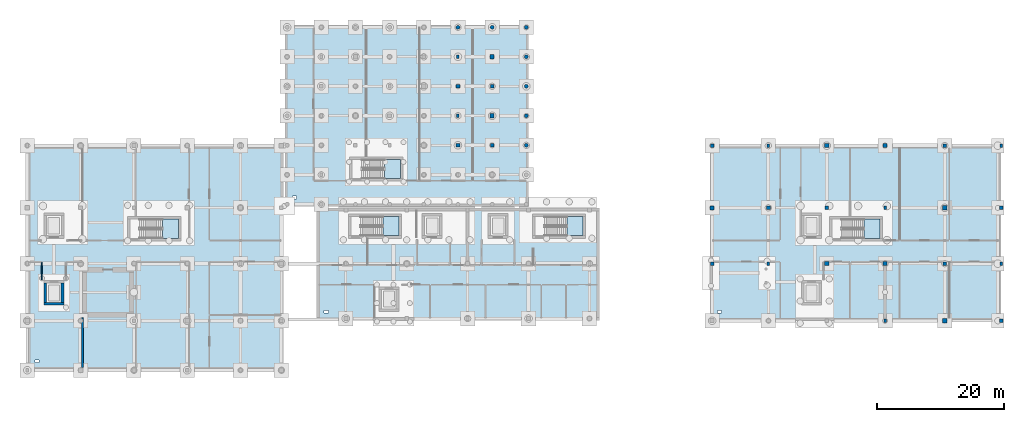
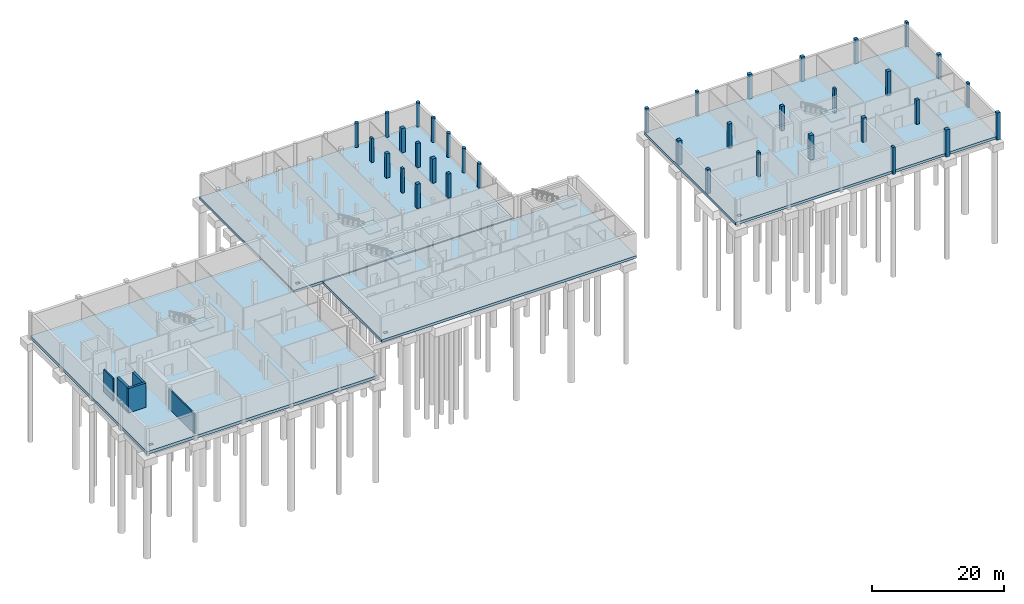
# One storey, part 5 of 14: 36 columns, 9 slabs, 5 walls, 5 elements without a shape of their own.
"""IFC4 building model written with IfcOpenShell, lengths in metres."""

from ifc_helpers import new_model, si_unit, direction, frame, frame_2d, origin, origin_2d, place, context, subcontext, project, spatial, polyline, rectangle, circle, outline, extrude, material, layer, layer_set, material_profile, profile_set, type_object, element, aggregate, save


model = new_model("IFC4")

# Units and contexts
model_context = context("Model", 3, precision=1e-05, world=origin(), true_north=direction((0.0, 1.0)))
body_context = subcontext(model_context, "Body", "Model", "MODEL_VIEW")
ifc_project = project(units=[si_unit("LENGTHUNIT", "METRE"), si_unit("AREAUNIT", "SQUARE_METRE"), si_unit("VOLUMEUNIT", "CUBIC_METRE"), si_unit("PLANEANGLEUNIT", "RADIAN"), si_unit("MASSUNIT", "GRAM", prefix="KILO")], contexts=[model_context])

# Site, building, storey
site_placement = place(None, origin())
site = spatial("IfcSite", under=ifc_project, at=site_placement, CompositionType="ELEMENT")
building_placement = place(site_placement, origin())
building = spatial("IfcBuilding", under=site, at=building_placement, Name="Birchvale Park Specialist Clinic", CompositionType="ELEMENT")
storey_placement = place(building_placement, frame((0.0, 0.0, -4.5)))
storey = spatial("IfcBuildingStorey", under=building, at=storey_placement, Name="B1", CompositionType="ELEMENT", Elevation=-4.5)

# Columns
ifc_material_1 = material(Name="Concrete C40/50", Category="concrete")
ifc_material_profile_1 = material_profile(ifc_material_1, rectangle(XDim=0.6298828125, YDim=0.6298828125, at=origin_2d()), Name="RC-630x630")
ifc_profile_set_1 = profile_set([ifc_material_profile_1], Name="Concrete C40/50")
column_type_1 = type_object("IfcColumnType", Name="COL-EXT-C02", PredefinedType="COLUMN", material=ifc_profile_set_1)
column_placement = place(storey_placement, frame((119.14990234375, 34.60009765625, -0.550048828125), z_axis=(0.0, 0.0, 1.0), x_axis=(1.0, 0.0, 0.0)))
element("IfcColumn", 1, at=column_placement, inside=storey, type_object=column_type_1, Name="V5 B1 column 3", PredefinedType="COLUMN", context=body_context, shape_type="SweptSolid", body=[
    extrude(rectangle(XDim=0.6298828125, YDim=0.6298828125, at=origin_2d()), origin(), (0.0, 0.0, 1.0), 5.050048828125),
])
ifc_material_profile_2 = material_profile(ifc_material_1, rectangle(XDim=0.530029296875, YDim=0.530029296875, at=origin_2d()), Name="RC-530x530")
ifc_profile_set_2 = profile_set([ifc_material_profile_2], Name="Concrete C40/50")
column_type_2 = type_object("IfcColumnType", Name="COL-EXT-C04", PredefinedType="COLUMN", material=ifc_profile_set_2)
for number, where, z_axis, x_axis, name in (
    (2, (119.14990234375, 25.800048828125, -0.550048828125), (0.0, 0.0, 1.0), (1.0, 0.0, 0.0), "V5 B1 column 2"),
    (3, (119.14990234375, 44.39990234375, -0.550048828125), (0.0, 0.0, 1.0), (1.0, 0.0, 0.0), "V5 B1 column 4"),
):
    element("IfcColumn", number, at=place(storey_placement, frame(where, z_axis=z_axis, x_axis=x_axis)), inside=storey, type_object=column_type_2, Name=name, PredefinedType="COLUMN", context=body_context, shape_type="SweptSolid", body=[
        extrude(rectangle(XDim=0.530029296875, YDim=0.530029296875, at=origin_2d()), origin(), (0.0, 0.0, 1.0), 5.050048828125),
    ])
ifc_material_profile_3 = material_profile(ifc_material_1, circle(Radius=0.31005859375, at=origin_2d()), Name="RCC-620")
ifc_profile_set_3 = profile_set([ifc_material_profile_3], Name="Concrete C40/50")
column_type_3 = type_object("IfcColumnType", Name="COL-EXT-CC1", PredefinedType="COLUMN", material=ifc_profile_set_3)
for number, where, z_axis, x_axis, name in (
    (4, (79.07861328125, 63.050048828125, -0.550048828125), (0.0, 0.0, 1.0), (1.0, 0.0, 0.0), "V1 B1 column 40"),
    (5, (84.46435546875, 63.050048828125, -0.550048828125), (0.0, 0.0, 1.0), (1.0, 0.0, 0.0), "V1 B1 column 47"),
    (6, (89.85009765625, 44.449951171875, -0.550048828125), (0.0, 0.0, 1.0), (1.0, 0.0, 0.0), "V1 B1 column 50"),
    (7, (89.85009765625, 49.10009765625, -0.550048828125), (0.0, 0.0, 1.0), (1.0, 0.0, 0.0), "V1 B1 column 51"),
    (8, (89.85009765625, 53.75, -0.550048828125), (0.0, 0.0, 1.0), (1.0, 0.0, 0.0), "V1 B1 column 52"),
    (9, (89.85009765625, 58.39990234375, -0.550048828125), (0.0, 0.0, 1.0), (1.0, 0.0, 0.0), "V1 B1 column 53"),
    (10, (89.85009765625, 63.050048828125, -0.550048828125), (0.0, 0.0, 1.0), (1.0, 0.0, 0.0), "V1 B1 column 54"),
):
    element("IfcColumn", number, at=place(storey_placement, frame(where, z_axis=z_axis, x_axis=x_axis)), inside=storey, type_object=column_type_3, Name=name, PredefinedType="COLUMN", context=body_context, shape_type="SweptSolid", body=[
        extrude(circle(Radius=0.31005859375, at=origin_2d()), origin(), (0.0, 0.0, 1.0), 5.050048828125),
    ])
ifc_material_profile_4 = material_profile(ifc_material_1, rectangle(XDim=0.64990234375, YDim=0.64990234375, at=origin_2d()), Name="RC-650x650")
ifc_profile_set_4 = profile_set([ifc_material_profile_4], Name="Concrete C40/50")
column_type_4 = type_object("IfcColumnType", Name="COL-INT-C02", PredefinedType="COLUMN", material=ifc_profile_set_4)
for number, where, z_axis, x_axis, name in (
    (11, (84.46435546875, 49.10009765625, -0.550048828125), (0.0, 0.0, 1.0), (1.0, 0.0, 0.0), "V1 B1 column 44"),
    (12, (84.46435546875, 58.39990234375, -0.550048828125), (0.0, 0.0, 1.0), (1.0, 0.0, 0.0), "V1 B1 column 46"),
    (13, (137.199951171875, 25.800048828125, -0.550048828125), (0.0, 0.0, 1.0), (1.0, 0.0, 0.0), "V5 B1 column 10"),
    (14, (137.199951171875, 44.39990234375, -0.550048828125), (0.0, 0.0, 1.0), (1.0, 0.0, 0.0), "V5 B1 column 12"),
    (15, (155.800048828125, 16.800048828125, -0.550048828125), (0.0, 0.0, 1.0), (1.0, 0.0, 0.0), "V5 B1 column 17"),
    (16, (155.800048828125, 34.60009765625, -0.550048828125), (0.0, 0.0, 1.0), (1.0, 0.0, 0.0), "V5 B1 column 19"),
):
    element("IfcColumn", number, at=place(storey_placement, frame(where, z_axis=z_axis, x_axis=x_axis)), inside=storey, type_object=column_type_4, Name=name, PredefinedType="COLUMN", context=body_context, shape_type="SweptSolid", body=[
        extrude(rectangle(XDim=0.64990234375, YDim=0.64990234375, at=origin_2d()), origin(), (0.0, 0.0, 1.0), 5.050048828125),
    ])
ifc_material_profile_5 = material_profile(ifc_material_1, rectangle(XDim=0.60009765625, YDim=0.60009765625, at=origin_2d()), Name="RC-600x600")
ifc_profile_set_5 = profile_set([ifc_material_profile_5], Name="Concrete C40/50")
column_type_5 = type_object("IfcColumnType", Name="COL-INT-C03", PredefinedType="COLUMN", material=ifc_profile_set_5)
for number, where, z_axis, x_axis, name in (
    (17, (79.07861328125, 44.449951171875, -0.550048828125), (0.0, 0.0, 1.0), (1.0, 0.0, 0.0), "V1 B1 column 36"),
    (18, (79.07861328125, 53.75, -0.550048828125), (0.0, 0.0, 1.0), (1.0, 0.0, 0.0), "V1 B1 column 38"),
    (19, (128.0, 34.60009765625, -0.550048828125), (0.0, 0.0, 1.0), (1.0, 0.0, 0.0), "V5 B1 column 7"),
    (20, (146.39990234375, 25.800048828125, -0.550048828125), (0.0, 0.0, 1.0), (1.0, 0.0, 0.0), "V5 B1 column 14"),
    (21, (146.39990234375, 44.39990234375, -0.550048828125), (0.0, 0.0, 1.0), (1.0, 0.0, 0.0), "V5 B1 column 16"),
    (22, (164.699951171875, 16.800048828125, -0.550048828125), (0.0, 0.0, 1.0), (1.0, 0.0, 0.0), "V5 B1 column 21"),
    (23, (164.699951171875, 34.60009765625, -0.550048828125), (0.0, 0.0, 1.0), (1.0, 0.0, 0.0), "V5 B1 column 23"),
):
    element("IfcColumn", number, at=place(storey_placement, frame(where, z_axis=z_axis, x_axis=x_axis)), inside=storey, type_object=column_type_5, Name=name, PredefinedType="COLUMN", context=body_context, shape_type="SweptSolid", body=[
        extrude(rectangle(XDim=0.60009765625, YDim=0.60009765625, at=origin_2d()), origin(), (0.0, 0.0, 1.0), 5.050048828125),
    ])
ifc_material_profile_6 = material_profile(ifc_material_1, rectangle(XDim=0.550048828125, YDim=0.550048828125, at=origin_2d()), Name="RC-550x550")
ifc_profile_set_6 = profile_set([ifc_material_profile_6], Name="Concrete C40/50")
column_type_6 = type_object("IfcColumnType", Name="COL-INT-C04", PredefinedType="COLUMN", material=ifc_profile_set_6)
for number, where, z_axis, x_axis, name in (
    (24, (84.46435546875, 44.449951171875, -0.550048828125), (0.0, 0.0, 1.0), (1.0, 0.0, 0.0), "V1 B1 column 43"),
    (25, (84.46435546875, 53.75, -0.550048828125), (0.0, 0.0, 1.0), (1.0, 0.0, 0.0), "V1 B1 column 45"),
    (26, (137.199951171875, 34.60009765625, -0.550048828125), (0.0, 0.0, 1.0), (1.0, 0.0, 0.0), "V5 B1 column 11"),
    (27, (155.800048828125, 25.800048828125, -0.550048828125), (0.0, 0.0, 1.0), (1.0, 0.0, 0.0), "V5 B1 column 18"),
    (28, (155.800048828125, 44.39990234375, -0.550048828125), (0.0, 0.0, 1.0), (1.0, 0.0, 0.0), "V5 B1 column 20"),
):
    element("IfcColumn", number, at=place(storey_placement, frame(where, z_axis=z_axis, x_axis=x_axis)), inside=storey, type_object=column_type_6, Name=name, PredefinedType="COLUMN", context=body_context, shape_type="SweptSolid", body=[
        extrude(rectangle(XDim=0.550048828125, YDim=0.550048828125, at=origin_2d()), origin(), (0.0, 0.0, 1.0), 5.050048828125),
    ])
ifc_material_profile_7 = material_profile(ifc_material_1, rectangle(XDim=0.39990234375, YDim=0.550048828125, at=origin_2d()), Name="RC-400x550")
ifc_profile_set_7 = profile_set([ifc_material_profile_7], Name="Concrete C40/50")
column_type_7 = type_object("IfcColumnType", Name="COL-INT-C10", PredefinedType="COLUMN", material=ifc_profile_set_7)
for number, where, z_axis, x_axis, name in (
    (29, (79.07861328125, 49.10009765625, -0.550048828125), (0.0, 0.0, 1.0), (1.0, 0.0, 0.0), "V1 B1 column 37"),
    (30, (79.07861328125, 58.39990234375, -0.550048828125), (0.0, 0.0, 1.0), (1.0, 0.0, 0.0), "V1 B1 column 39"),
    (31, (128.0, 25.800048828125, -0.550048828125), (0.0, 0.0, 1.0), (1.0, 0.0, 0.0), "V5 B1 column 6"),
    (32, (128.0, 44.39990234375, -0.550048828125), (0.0, 0.0, 1.0), (1.0, 0.0, 0.0), "V5 B1 column 8"),
    (33, (146.39990234375, 16.800048828125, -0.550048828125), (0.0, 0.0, 1.0), (1.0, 0.0, 0.0), "V5 B1 column 13"),
    (34, (146.39990234375, 34.60009765625, -0.550048828125), (0.0, 0.0, 1.0), (1.0, 0.0, 0.0), "V5 B1 column 15"),
    (35, (164.699951171875, 25.800048828125, -0.550048828125), (0.0, 0.0, 1.0), (1.0, 0.0, 0.0), "V5 B1 column 22"),
    (36, (164.699951171875, 44.39990234375, -0.550048828125), (0.0, 0.0, 1.0), (1.0, 0.0, 0.0), "V5 B1 column 24"),
):
    element("IfcColumn", number, at=place(storey_placement, frame(where, z_axis=z_axis, x_axis=x_axis)), inside=storey, type_object=column_type_7, Name=name, PredefinedType="COLUMN", context=body_context, shape_type="SweptSolid", body=[
        extrude(rectangle(XDim=0.39990234375, YDim=0.550048828125, at=origin_2d()), origin(), (0.0, 0.0, 1.0), 5.050048828125),
    ])

# Slabs
ifc_material_2 = material(Name="Concrete C35/45", Category="concrete")
ifc_layer_1 = layer(ifc_material_2, 0.550048828125)
ifc_layer_set_1 = layer_set([ifc_layer_1], Name="Concrete C35/45")
slab_type_1 = type_object("IfcSlabType", Name="SLB-BS1", PredefinedType="BASESLAB", material=ifc_layer_set_1)
slab_1_placement = place(storey_placement, frame((0.0, 0.0, -0.550048828125)))
element("IfcSlab", 37, at=slab_1_placement, inside=storey, type_object=slab_type_1, Name="V2 B1 structural slab 1", PredefinedType="BASESLAB", context=body_context, shape_type="SweptSolid", body=[
    extrude(outline(polyline([(11.199951171875, 9.0), (51.60009765625, 9.0), (51.60009765625, 44.39990234375), (11.199951171875, 44.39990234375), (11.199951171875, 9.0)]), holes=[polyline([(12.39990234375, 10.199951171875), (13.050048828125, 10.199951171875), (13.050048828125, 10.64990234375), (12.39990234375, 10.64990234375), (12.39990234375, 10.199951171875)])]), origin(), (0.0, 0.0, 1.0), 0.550048828125),
])
ifc_layer_2 = layer(ifc_material_2, 0.47998046875)
ifc_layer_set_2 = layer_set([ifc_layer_2], Name="Concrete C35/45")
slab_type_2 = type_object("IfcSlabType", Name="SLB-BS2", PredefinedType="BASESLAB", material=ifc_layer_set_2)
slab_2_placement = place(storey_placement, frame((0.0, 0.0, -0.47998046875)))
element("IfcSlab", 38, at=slab_2_placement, inside=storey, type_object=slab_type_2, Name="V1 B1 structural slab 1", PredefinedType="BASESLAB", context=body_context, shape_type="SweptSolid", body=[
    extrude(outline(polyline([(51.800048828125, 34.800048828125), (90.199951171875, 34.800048828125), (90.199951171875, 63.39990234375), (51.800048828125, 63.39990234375), (51.800048828125, 34.800048828125)]), holes=[polyline([(53.0, 36.0), (53.64990234375, 36.0), (53.64990234375, 36.449951171875), (53.0, 36.449951171875), (53.0, 36.0)])]), origin(), (0.0, 0.0, 1.0), 0.47998046875),
])
slab_3_placement = place(storey_placement, frame((0.0, 0.0, -0.47998046875)))
element("IfcSlab", 39, at=slab_3_placement, inside=storey, type_object=slab_type_2, Name="V4 B1 structural slab 1", PredefinedType="BASESLAB", context=body_context, shape_type="SweptSolid", body=[
    extrude(outline(polyline([(56.800048828125, 16.800048828125), (101.39990234375, 16.800048828125), (101.39990234375, 34.60009765625), (56.800048828125, 34.60009765625), (56.800048828125, 16.800048828125)]), holes=[polyline([(58.0, 18.0), (58.64990234375, 18.0), (58.64990234375, 18.449951171875), (58.0, 18.449951171875), (58.0, 18.0)])]), origin(), (0.0, 0.0, 1.0), 0.47998046875),
])
slab_4_placement = place(storey_placement, frame((0.0, 0.0, -0.47998046875)))
element("IfcSlab", 40, at=slab_4_placement, inside=storey, type_object=slab_type_2, Name="V5 B1 structural slab 1", PredefinedType="BASESLAB", context=body_context, shape_type="SweptSolid", body=[
    extrude(outline(polyline([(118.800048828125, 16.800048828125), (164.699951171875, 16.800048828125), (164.699951171875, 44.39990234375), (118.800048828125, 44.39990234375), (118.800048828125, 16.800048828125)]), holes=[polyline([(120.0, 18.0), (120.64990234375, 18.0), (120.64990234375, 18.449951171875), (120.0, 18.449951171875), (120.0, 18.0)])]), origin(), (0.0, 0.0, 1.0), 0.47998046875),
])

# Stair, slab
stair_type = type_object("IfcStairType", Name="ST-H45", PredefinedType="HALF_TURN_STAIR", material=ifc_material_2)
stair_1_placement = place(storey_placement, origin())
stair_1 = element("IfcStair", 41, at=stair_1_placement, inside=storey, type_object=stair_type, Name="B1 Protected exit stair ST1", PredefinedType="HALF_TURN_STAIR")
ifc_layer_3 = layer(ifc_material_2, 0.199951171875)
ifc_layer_set_3 = layer_set([ifc_layer_3], Name="Concrete C35/45")
slab_type_3 = type_object("IfcSlabType", Name="SLB-LND1", PredefinedType="LANDING", material=ifc_layer_set_3)
slab_5_placement = place(storey_placement, frame((0.0, 0.0, 2.050048828125)))
slab_5 = element("IfcSlab", 42, at=slab_5_placement, type_object=slab_type_3, Name="ST1 landing 1", PredefinedType="LANDING", context=body_context, shape_type="SweptSolid", body=[
    extrude(outline(polyline([(67.5, 39.199951171875), (70.0, 39.199951171875), (70.0, 42.199951171875), (67.5, 42.199951171875), (67.5, 39.199951171875)])), origin(), (0.0, 0.0, 1.0), 0.199951171875),
])
aggregate(stair_1, [slab_5])

stair_2_placement = place(storey_placement, origin())
stair_2 = element("IfcStair", 43, at=stair_2_placement, inside=storey, type_object=stair_type, Name="B1 Protected exit stair ST2", PredefinedType="HALF_TURN_STAIR")
slab_6_placement = place(storey_placement, frame((0.0, 0.0, 2.050048828125)))
slab_6 = element("IfcSlab", 44, at=slab_6_placement, type_object=slab_type_3, Name="ST2 landing 1", PredefinedType="LANDING", context=body_context, shape_type="SweptSolid", body=[
    extrude(outline(polyline([(32.5, 29.800048828125), (35.0, 29.800048828125), (35.0, 32.800048828125), (32.5, 32.800048828125), (32.5, 29.800048828125)])), origin(), (0.0, 0.0, 1.0), 0.199951171875),
])
aggregate(stair_2, [slab_6])

stair_3_placement = place(storey_placement, origin())
stair_3 = element("IfcStair", 45, at=stair_3_placement, inside=storey, type_object=stair_type, Name="B1 Protected exit stair ST4", PredefinedType="HALF_TURN_STAIR")
slab_7_placement = place(storey_placement, frame((0.0, 0.0, 2.050048828125)))
slab_7 = element("IfcSlab", 46, at=slab_7_placement, type_object=slab_type_3, Name="ST4 landing 1", PredefinedType="LANDING", context=body_context, shape_type="SweptSolid", body=[
    extrude(outline(polyline([(67.300048828125, 30.199951171875), (69.800048828125, 30.199951171875), (69.800048828125, 33.199951171875), (67.300048828125, 33.199951171875), (67.300048828125, 30.199951171875)])), origin(), (0.0, 0.0, 1.0), 0.199951171875),
])
aggregate(stair_3, [slab_7])

stair_4_placement = place(storey_placement, origin())
stair_4 = element("IfcStair", 47, at=stair_4_placement, inside=storey, type_object=stair_type, Name="B1 Protected exit stair ST5", PredefinedType="HALF_TURN_STAIR")
slab_8_placement = place(storey_placement, frame((0.0, 0.0, 2.050048828125)))
slab_8 = element("IfcSlab", 48, at=slab_8_placement, type_object=slab_type_3, Name="ST5 landing 1", PredefinedType="LANDING", context=body_context, shape_type="SweptSolid", body=[
    extrude(outline(polyline([(96.300048828125, 30.199951171875), (98.800048828125, 30.199951171875), (98.800048828125, 33.199951171875), (96.300048828125, 33.199951171875), (96.300048828125, 30.199951171875)])), origin(), (0.0, 0.0, 1.0), 0.199951171875),
])
aggregate(stair_4, [slab_8])

stair_5_placement = place(storey_placement, origin())
stair_5 = element("IfcStair", 49, at=stair_5_placement, inside=storey, type_object=stair_type, Name="B1 Protected exit stair ST6", PredefinedType="HALF_TURN_STAIR")
slab_9_placement = place(storey_placement, frame((0.0, 0.0, 2.050048828125)))
slab_9 = element("IfcSlab", 50, at=slab_9_placement, type_object=slab_type_3, Name="ST6 landing 1", PredefinedType="LANDING", context=body_context, shape_type="SweptSolid", body=[
    extrude(outline(polyline([(143.10009765625, 29.800048828125), (145.60009765625, 29.800048828125), (145.60009765625, 32.800048828125), (143.10009765625, 32.800048828125), (143.10009765625, 29.800048828125)])), origin(), (0.0, 0.0, 1.0), 0.199951171875),
])
aggregate(stair_5, [slab_9])

# Walls
ifc_layer_4 = layer(ifc_material_1, 0.39990234375)
ifc_layer_set_4 = layer_set([ifc_layer_4], Name="Concrete C40/50")
wall_type_1 = type_object("IfcWallType", Name="WL-CW-120", PredefinedType="SHEAR", material=ifc_layer_set_4)
wall_1_placement = place(storey_placement, frame((13.85009765625, 19.449951171875, -0.550048828125), z_axis=(0.0, 0.0, 1.0), x_axis=(1.0, 0.0, 0.0)))
element("IfcWall", 51, at=wall_1_placement, inside=storey, type_object=wall_type_1, Name="B1 lift LP3 shaft wall (south)", PredefinedType="SHEAR", context=body_context, shape_type="SweptSolid", body=[
    extrude(rectangle(XDim=3.099853515625, YDim=0.39990234375, at=frame_2d((1.5498046875, 0.0))), origin(), (0.0, 0.0, 1.0), 5.050048828125),
])
for number, where, z_axis, x_axis, name in (
    (52, (14.050048828125, 19.64990234375, -0.550048828125), (0.0, 0.0, 1.0), (0.0, 1.0, 0.0), "B1 lift LP3 shaft wall (west)"),
    (53, (16.75, 22.75, -0.550048828125), (0.0, 0.0, 1.0), (0.0, -1.0, 0.0), "B1 lift LP3 shaft wall (east)"),
):
    element("IfcWall", number, at=place(storey_placement, frame(where, z_axis=z_axis, x_axis=x_axis)), inside=storey, type_object=wall_type_1, Name=name, PredefinedType="SHEAR", context=body_context, shape_type="SweptSolid", body=[
        extrude(rectangle(XDim=3.10009765625, YDim=0.39990234375, at=frame_2d((1.550048828125, 0.0))), origin(), (0.0, 0.0, 1.0), 5.050048828125),
    ])
ifc_material_3 = material(Name="Acoustic gypsum board on metal framing")
ifc_layer_5 = layer(ifc_material_3, 0.239990234375)
ifc_layer_set_5 = layer_set([ifc_layer_5], Name="Acoustic gypsum board on metal framing")
wall_type_2 = type_object("IfcWallType", Name="WL-IW-08", PredefinedType="PARTITIONING", material=ifc_layer_set_5)
wall_2_placement = place(storey_placement, frame((19.89990234375, 17.239990234375, 0.0), z_axis=(0.0, 0.0, 1.0), x_axis=(0.0, -1.0, 0.0)))
element("IfcWall", 54, at=wall_2_placement, inside=storey, type_object=wall_type_2, Name="V2 B1 clinical partition 11", PredefinedType="PARTITIONING", context=body_context, shape_type="SweptSolid", body=[
    extrude(rectangle(XDim=7.800048828125, YDim=0.239990234375, at=frame_2d((3.89990234375, 0.0))), origin(), (0.0, 0.0, 1.0), 3.635009765625),
])
ifc_layer_6 = layer(ifc_material_3, 0.179931640625)
ifc_layer_set_6 = layer_set([ifc_layer_6], Name="Acoustic gypsum board on metal framing")
wall_type_3 = type_object("IfcWallType", Name="WL-IW-60", PredefinedType="PARTITIONING", material=ifc_layer_set_6)
wall_3_placement = place(storey_placement, frame((13.5, 26.02001953125, 0.0), z_axis=(0.0, 0.0, 1.0), x_axis=(0.0, -1.0, 0.0)))
element("IfcWall", 55, at=wall_3_placement, inside=storey, type_object=wall_type_3, Name="V2 B1 clinical partition 13", PredefinedType="PARTITIONING", context=body_context, shape_type="SweptSolid", body=[
    extrude(rectangle(XDim=2.7900390625, YDim=0.179931640625, at=frame_2d((1.39501953125, 0.0))), origin(), (0.0, 0.0, 1.0), 4.14990234375),
])

save(model, "model.ifc")
